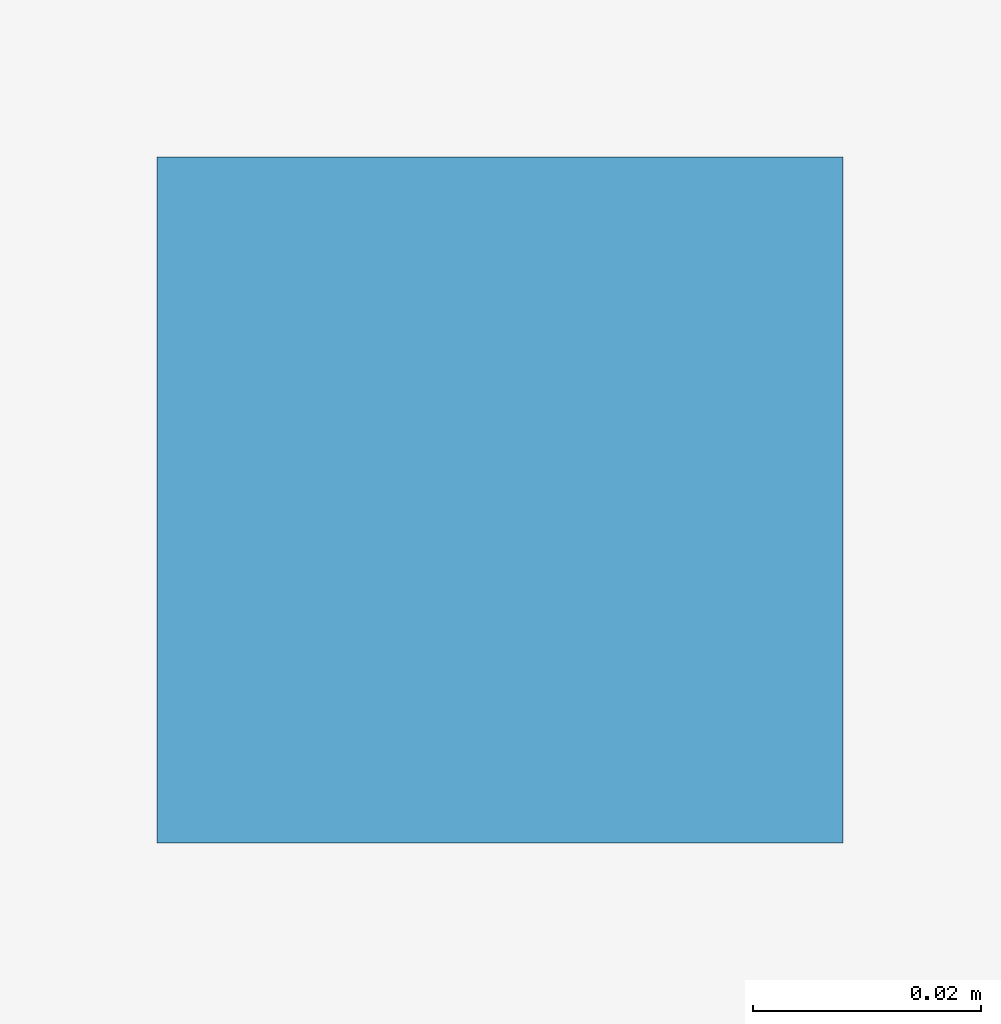
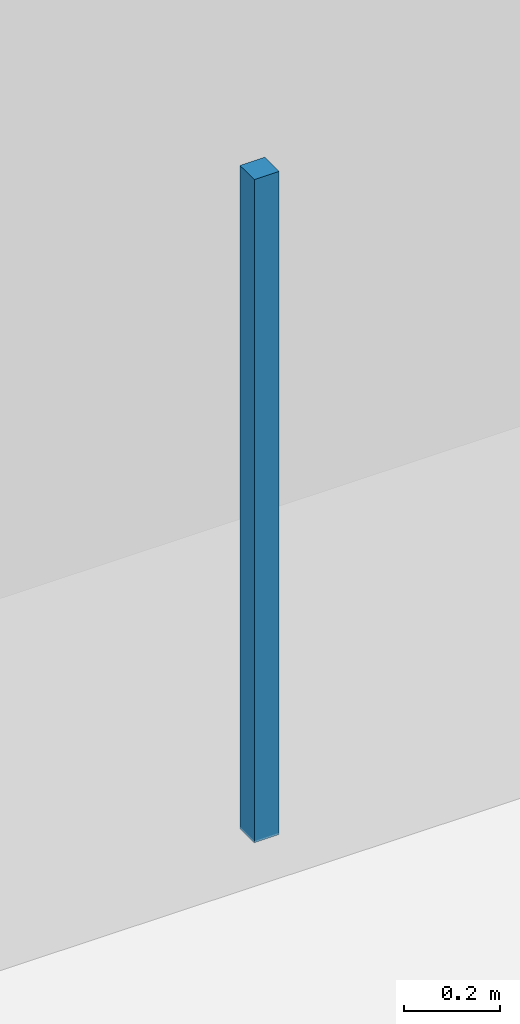
# One storey, part 100 of 119: 1 discrete accessory.
"""IFC4 building model written with IfcOpenShell, lengths in metres."""

import ifcopenshell
import ifcopenshell.guid

model = None  # the IFC model being written
_history = None  # IfcOwnerHistory: only IFC2X3 demands one
_inside = {}  # id of a spatial element -> (the spatial element, [elements in it])
_under = {}  # id of a project, library or spatial element -> (it, [spatial elements below it])
_declared = {}  # id of a project -> (the project, [libraries it declares])
_typed = {}  # id of a type object -> (the type object, [elements of that type])
_made_of = {}  # id of a material, layer set ... -> (it, [elements and type objects made of it])


def new_model(schema):
    """Start an empty IFC model of exactly this schema.

    Asked for "IFC4X3", IfcOpenShell would pick the latest addendum, in which some entities
    have other attributes; the version numbers below select the first issue.
    IFC2X3 requires an IfcOwnerHistory on every rooted entity: one is made here for all.
    """
    global model, _history
    if schema == "IFC4X3":
        model = ifcopenshell.file(schema_version=(4, 3, 0, 0))
    else:
        model = ifcopenshell.file(schema=schema)
    _inside.clear()
    _under.clear()
    _declared.clear()
    _typed.clear()
    _made_of.clear()
    _history = None
    if model.schema == "IFC2X3":
        org = make("IfcOrganization", Name="unknown")
        user = make(
            "IfcPersonAndOrganization",
            ThePerson=make("IfcPerson", FamilyName="unknown"),
            TheOrganization=org,
        )
        app = make(
            "IfcApplication",
            ApplicationDeveloper=org,
            Version="unknown",
            ApplicationFullName="unknown",
            ApplicationIdentifier="unknown",
        )
        _history = make(
            "IfcOwnerHistory",
            OwningUser=user,
            OwningApplication=app,
            ChangeAction="ADDED",
            CreationDate=0,
        )
    return model


def make(cls, **values):
    """One entity of the class cls with the attributes given. An attribute that is None is left unset."""
    return model.create_entity(
        cls, **{name: value for name, value in values.items() if value is not None}
    )


def rooted(cls, **values):
    """An entity with a GlobalId (a new one), such as an element, a storey or a relation."""
    return make(cls, GlobalId=ifcopenshell.guid.new(), OwnerHistory=_history, **values)


def si_unit(unit_type, name, prefix=None):
    """IfcSIUnit, for example si_unit("LENGTHUNIT", "METRE", prefix="MILLI")."""
    return make("IfcSIUnit", UnitType=unit_type, Prefix=prefix, Name=name)


def derived_unit(unit_type, elements):
    """IfcDerivedUnit: a product of units, each with its exponent."""
    return make(
        "IfcDerivedUnit",
        Elements=[
            make("IfcDerivedUnitElement", Unit=unit, Exponent=power)
            for unit, power in elements
        ],
        UnitType=unit_type,
    )


def assignment(units):
    """IfcUnitAssignment: the units of a project."""
    return None if units is None else make("IfcUnitAssignment", Units=units)


def point(xyz):
    """IfcCartesianPoint."""
    return None if xyz is None else make("IfcCartesianPoint", Coordinates=xyz)


def direction(xyz):
    """IfcDirection."""
    return None if xyz is None else make("IfcDirection", DirectionRatios=xyz)


def frame(location, z_axis=None, x_axis=None):
    """IfcAxis2Placement3D, a coordinate frame: its origin and axes. An axis left out is left unset."""
    return make(
        "IfcAxis2Placement3D",
        Location=point(location),
        Axis=direction(z_axis),
        RefDirection=direction(x_axis),
    )


def frame_2d(location, x_axis=None):
    """IfcAxis2Placement2D, a coordinate frame in the plane: its origin and x axis."""
    return make(
        "IfcAxis2Placement2D", Location=point(location), RefDirection=direction(x_axis)
    )


def origin():
    """The frame at (0, 0, 0) with its axes left unset."""
    return frame((0.0, 0.0, 0.0))


def origin_2d():
    """The frame at (0, 0) in the plane with its x axis left unset."""
    return frame_2d((0.0, 0.0))


def place(relative_to, where):
    """IfcLocalPlacement: puts the frame where relative to a parent placement (None: the world)."""
    return make(
        "IfcLocalPlacement", PlacementRelTo=relative_to, RelativePlacement=where
    )


def context(
    kind, dimensions, precision=None, world=None, true_north=None, identifier=None
):
    """IfcGeometricRepresentationContext, for example the 3D "Model" context."""
    return make(
        "IfcGeometricRepresentationContext",
        ContextIdentifier=identifier,
        ContextType=kind,
        CoordinateSpaceDimension=dimensions,
        Precision=precision,
        WorldCoordinateSystem=world,
        TrueNorth=true_north,
    )


def subcontext(parent, identifier, kind, view, scale=None):
    """IfcGeometricRepresentationSubContext, for example "Body" below "Model"."""
    return make(
        "IfcGeometricRepresentationSubContext",
        ContextIdentifier=identifier,
        ContextType=kind,
        ParentContext=parent,
        TargetScale=scale,
        TargetView=view,
    )


def project(units=None, contexts=None):
    """IfcProject with its units and contexts."""
    return rooted(
        "IfcProject",
        Name="project",
        RepresentationContexts=contexts,
        UnitsInContext=assignment(units),
    )


def spatial(cls, under=None, at=None, **own):
    """A site, building, storey or space (cls), placed at a placement, below another one or the project."""
    s = rooted(cls, ObjectPlacement=at, **own)
    if under is not None:
        _under.setdefault(under.id(), (under, []))[1].append(s)
    return s


def profile(cls, at=None, kind="AREA", **sizes):
    """A parametric profile (cls). Its sizes go by their IFC names, for example OverallWidth=200.0."""
    return make(cls, ProfileType=kind, Position=at, **sizes)


def rectangle(**sizes):
    """IfcRectangleProfileDef."""
    return profile("IfcRectangleProfileDef", **sizes)


def extrude(swept, where, along, depth):
    """IfcExtrudedAreaSolid: the profile swept, set in the frame where, extruded along a direction by depth."""
    return make(
        "IfcExtrudedAreaSolid",
        SweptArea=swept,
        Position=where,
        ExtrudedDirection=direction(along),
        Depth=depth,
    )


def shape(context_of_items, identifier, shape_type, items):
    """IfcShapeRepresentation: the items that make up one representation, for example the "Body"."""
    return make(
        "IfcShapeRepresentation",
        ContextOfItems=context_of_items,
        RepresentationIdentifier=identifier,
        RepresentationType=shape_type,
        Items=items,
    )


def material(Name=None, Category=None):
    """IfcMaterial."""
    return make("IfcMaterial", Name=Name, Category=Category)


def layer(
    of_material, thickness, ventilated=None, Name=None, Category=None, Priority=None
):
    """IfcMaterialLayer: one layer of a wall or slab, of a material (None: an air gap)."""
    return make(
        "IfcMaterialLayer",
        Material=of_material,
        LayerThickness=thickness,
        IsVentilated=ventilated,
        Name=Name,
        Category=Category,
        Priority=Priority,
    )


def layer_set(layers, Name=None):
    """IfcMaterialLayerSet."""
    return make("IfcMaterialLayerSet", MaterialLayers=layers, LayerSetName=Name)


def made_of(thing, what):
    """Note that an element or type object is made of a material, layer set ...; save() writes the relation."""
    if what is not None:
        _made_of.setdefault(what.id(), (what, []))[1].append(thing)
    return thing


def type_object(cls, material=None, **own):
    """A type object (cls), such as IfcWallType, which elements share."""
    return made_of(rooted(cls, **own), material)


def element(
    cls,
    number,
    at=None,
    inside=None,
    cuts=None,
    type_object=None,
    material=None,
    context=None,
    identifier="Body",
    shape_type=None,
    held_by="IfcProductDefinitionShape",
    body=None,
    shapes=None,
    **own,
):
    """One element of the class cls, such as IfcWall. Its Tag is "e" and its number.

    at: its placement. inside: the storey or other place that contains it. cuts: it is an
    opening in that element (IfcRelVoidsElement). A single representation is given by context,
    identifier, shape_type and body (its items); several are given by shapes. held_by: the class
    of the entity that holds the representations. save() writes the other relations.
    """
    e = rooted(cls, Tag="e%d" % number, ObjectPlacement=at, **own)
    if body is not None:
        shapes = [shape(context, identifier, shape_type, body)]
    if shapes is not None:
        e.Representation = make(held_by, Representations=shapes)
    if inside is not None:
        _inside.setdefault(inside.id(), (inside, []))[1].append(e)
    if cuts is not None:
        rooted(
            "IfcRelVoidsElement", RelatingBuildingElement=cuts, RelatedOpeningElement=e
        )
    if type_object is not None:
        _typed.setdefault(type_object.id(), (type_object, []))[1].append(e)
    return made_of(e, material)


def aggregate(whole, parts):
    """IfcRelAggregates: a whole, such as a stair, and the parts it consists of."""
    return rooted("IfcRelAggregates", RelatingObject=whole, RelatedObjects=parts)


def save(model, path):
    """Write the relations noted so far, then the file.

    IfcRelAggregates (storeys below a building ...), IfcRelContainedInSpatialStructure (elements
    in a storey), IfcRelDefinesByType, IfcRelAssociatesMaterial and IfcRelDeclares: one each for
    every whole, place, type object, material and project.
    """
    for whole, parts in _under.values():
        aggregate(whole, parts)
    for where, things in _inside.values():
        rooted(
            "IfcRelContainedInSpatialStructure",
            RelatedElements=things,
            RelatingStructure=where,
        )
    for kind, things in _typed.values():
        rooted("IfcRelDefinesByType", RelatedObjects=things, RelatingType=kind)
    for what, things in _made_of.values():
        rooted("IfcRelAssociatesMaterial", RelatedObjects=things, RelatingMaterial=what)
    for by, libraries in _declared.values():
        rooted("IfcRelDeclares", RelatingContext=by, RelatedDefinitions=libraries)
    model.write(path)


model = new_model("IFC4")

# Units and contexts
model_context = context("Model", 3, precision=1e-05, world=origin(), true_north=direction((0.0, 1.0)))
body_context = subcontext(model_context, "Body", "Model", "MODEL_VIEW")
ifc_project = project(units=[si_unit("LENGTHUNIT", "METRE"), si_unit("AREAUNIT", "SQUARE_METRE"), si_unit("VOLUMEUNIT", "CUBIC_METRE"), si_unit("PLANEANGLEUNIT", "RADIAN"), si_unit("MASSUNIT", "GRAM", prefix="KILO"), derived_unit("THERMALTRANSMITTANCEUNIT", [(si_unit("MASSUNIT", "GRAM", prefix="KILO"), 1), (si_unit("TIMEUNIT", "SECOND"), -3), (si_unit("THERMODYNAMICTEMPERATUREUNIT", "KELVIN"), -1)])], contexts=[model_context])

# Site, building, storey
site_placement = place(None, origin())
site = spatial("IfcSite", under=ifc_project, at=site_placement, CompositionType="ELEMENT")
building_placement = place(site_placement, origin())
building = spatial("IfcBuilding", under=site, at=building_placement, Name="Makaiwela Harbour Ferry Terminal", CompositionType="ELEMENT")
storey_placement = place(building_placement, origin())
storey = spatial("IfcBuildingStorey", under=building, at=storey_placement, Name="L00", CompositionType="ELEMENT", Elevation=0.0)

# Discrete accessory
ifc_material = material(Name="Marine grade 316L brushed stainless steel", Category="steel")
ifc_layer = layer(ifc_material, 1.0)
ifc_layer_set = layer_set([ifc_layer], Name="Marine grade 316L brushed stainless steel")
discrete_accessory_type = type_object("IfcDiscreteAccessoryType", Name="INT-ACC-HNG", PredefinedType="BRACKET", material=ifc_layer_set)
discrete_accessory_placement = place(storey_placement, frame((121.199951171875, 53.60009765625, 3.135009765625), z_axis=(0.0, 0.0, 1.0), x_axis=(1.0, 0.0, 0.0)))
element("IfcDiscreteAccessory", 1, at=discrete_accessory_placement, inside=storey, type_object=discrete_accessory_type, Name="Ceiling Suspension Bracket HNG-019", PredefinedType="BRACKET", context=body_context, shape_type="SweptSolid", body=[
    extrude(rectangle(XDim=0.06005859375, YDim=0.06005859375, at=origin_2d()), origin(), (0.0, 0.0, 1.0), 1.68994140625),
])

save(model, "model.ifc")
